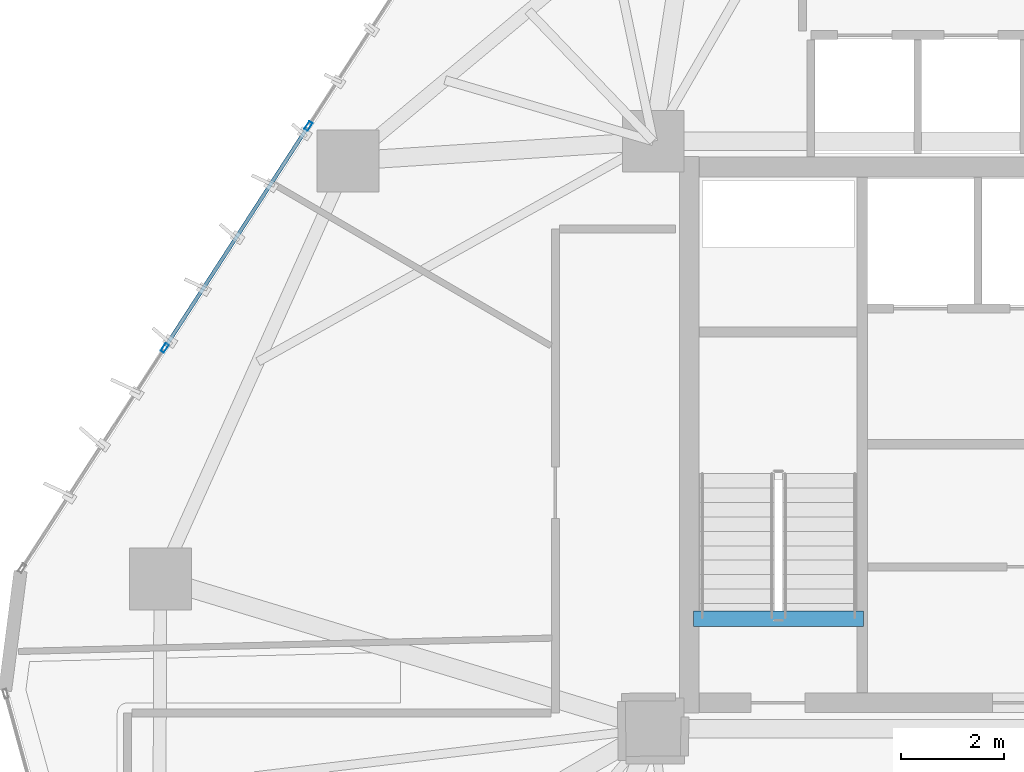
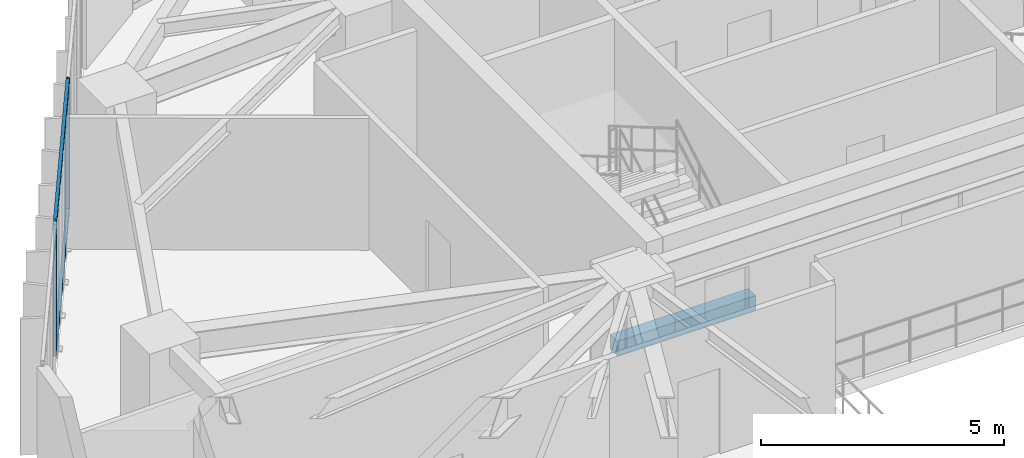
# One storey, part 9 of 21: 4 members, 1 beam, 1 element without a shape of its own.
"""IFC4 building model written with IfcOpenShell, lengths in metres."""

from ifc_helpers import new_model, si_unit, direction, frame, origin, origin_2d, place, context, subcontext, project, spatial, rectangle, hollow_rectangle, extrude, source, transform, mapped, material, layer, layer_set, material_profile, profile_set, type_object, type_shapes, element, aggregate, save


model = new_model("IFC4")

# Units and contexts
model_context = context("Model", 3, precision=1e-05, world=origin(), true_north=direction((0.0, 1.0)))
body_context = subcontext(model_context, "Body", "Model", "MODEL_VIEW")
ifc_project = project(units=[si_unit("LENGTHUNIT", "METRE"), si_unit("AREAUNIT", "SQUARE_METRE"), si_unit("VOLUMEUNIT", "CUBIC_METRE"), si_unit("PLANEANGLEUNIT", "RADIAN"), si_unit("MASSUNIT", "GRAM", prefix="KILO")], contexts=[model_context])

# Site, building, storey
site_placement = place(None, origin())
site = spatial("IfcSite", under=ifc_project, at=site_placement, CompositionType="ELEMENT")
building_placement = place(site_placement, origin())
building = spatial("IfcBuilding", under=site, at=building_placement, Name="Talar Marvaseh", CompositionType="ELEMENT")
storey_placement = place(building_placement, frame((0.0, 0.0, 129.0)))
storey = spatial("IfcBuildingStorey", under=building, at=storey_placement, Name="L33", CompositionType="ELEMENT", Elevation=129.0)

# Beam
ifc_material_1 = material(Name="Concrete C40/50", Category="concrete")
ifc_material_profile_1 = material_profile(ifc_material_1, rectangle(XDim=0.300048828125, YDim=0.360107421875, at=origin_2d()), Name="RC300x360")
ifc_profile_set_1 = profile_set([ifc_material_profile_1], Name="Concrete C40/50")
beam_type = type_object("IfcBeamType", Name="Concrete Stair Landing Trimmer Beam RC300x360", PredefinedType="SPANDREL", material=ifc_profile_set_1)
beam_placement = place(storey_placement, frame((22.780029296875, 27.6298828125, -0.179931640625), z_axis=(-1.0, 0.0, 0.0), x_axis=(0.0, -1.0, 0.0)))
element("IfcBeam", 1, at=beam_placement, inside=storey, type_object=beam_type, Name="L33 ST-1 Stair Nosing Trimmer Beam", PredefinedType="SPANDREL", context=body_context, shape_type="SweptSolid", body=[
    extrude(rectangle(XDim=0.300048828125, YDim=0.360107421875, at=origin_2d()), origin(), (0.0, 0.0, 1.0), 3.300048828125),
])

# Curtain wall, members
ifc_material_2 = material(Name="Architectural Aluminium", Category="aluminium")
ifc_layer = layer(ifc_material_2, 0.199951171875)
ifc_layer_set = layer_set([ifc_layer], Name="Architectural Aluminium")
curtain_wall_type = type_object("IfcCurtainWallType", Name="Unitised Acoustic Library Curtain Wall Z2", PredefinedType="NOTDEFINED", material=ifc_layer_set)
curtain_wall_placement = place(storey_placement, origin())
curtain_wall = element("IfcCurtainWall", 2, at=curtain_wall_placement, inside=storey, type_object=curtain_wall_type, Name="L33 Unitised Acoustic Library Curtain Wall Z2", PredefinedType="NOTDEFINED")
ifc_material_profile_2 = material_profile(ifc_material_2, hollow_rectangle(XDim=0.074951171875, YDim=0.179931640625, WallThickness=0.0048828125, at=origin_2d()), Name="RHS180x75x5")
ifc_profile_set_2 = profile_set([ifc_material_profile_2], Name="Architectural Aluminium")
member_type_1 = type_object("IfcMemberType", Name="Unitised Curtain Wall Standard Mullion RHS180x75x5", PredefinedType="MULLION", material=ifc_profile_set_2)
shared_shape_1 = source(origin(), body_context, "Body", "SweptSolid", [
    extrude(hollow_rectangle(XDim=0.074951171875, YDim=0.179931640625, WallThickness=0.0048828125, at=origin_2d()), origin(), (0.0, 0.0, 1.0), 3.31005859375),
])
type_shapes(member_type_1, [shared_shape_1])
member_1_placement = place(storey_placement, frame((9.22119140625, 32.888671875, 0.0), z_axis=(0.0, 0.0, 1.0), x_axis=(-0.839314849369, 0.543645641598, 0.0)))
member_1 = element("IfcMember", 3, at=member_1_placement, type_object=member_type_1, Name="CW-Z2 mullion 2", PredefinedType="MULLION", context=body_context, shape_type="MappedRepresentation", body=[
    mapped(shared_shape_1, transform((0.0, 0.0, 0.0), x_axis=(1.0, 0.0, 0.0), y_axis=(0.0, 1.0, 0.0), z_axis=(0.0, 0.0, 1.0), scale=1.0)),
])
member_2_placement = place(storey_placement, frame((12.01025390625, 37.194580078125, 0.0), z_axis=(0.0, 0.0, 1.0), x_axis=(-0.839314849369, 0.543645641598, 0.0)))
member_2 = element("IfcMember", 4, at=member_2_placement, type_object=member_type_1, Name="CW-Z2 mullion 3", PredefinedType="MULLION", context=body_context, shape_type="MappedRepresentation", body=[
    mapped(shared_shape_1, transform((0.0, 0.0, 0.0), x_axis=(1.0, 0.0, 0.0), y_axis=(0.0, 1.0, 0.0), z_axis=(0.0, 0.0, 1.0), scale=1.0)),
])
ifc_material_profile_3 = material_profile(ifc_material_2, hollow_rectangle(XDim=0.074951171875, YDim=0.179931640625, WallThickness=0.0048828125, at=origin_2d()), Name="RHS180x75x5")
ifc_profile_set_3 = profile_set([ifc_material_profile_3], Name="Architectural Aluminium")
member_type_2 = type_object("IfcMemberType", Name="Unitised Curtain Wall Transom RHS180x75x5", PredefinedType="USERDEFINED", material=ifc_profile_set_3)
shared_shape_2 = source(origin(), body_context, "Body", "SweptSolid", [
    extrude(hollow_rectangle(XDim=0.074951171875, YDim=0.179931640625, WallThickness=0.0048828125, at=origin_2d()), origin(), (0.0, 0.0, 1.0), 5.05517578125),
])
type_shapes(member_type_2, [shared_shape_2])
member_3_placement = place(storey_placement, frame((9.24169921875, 32.920166015625, 0.03759765625), z_axis=(0.543617685623, 0.839332956507, 0.0), x_axis=(-0.839332956507, 0.543617685623, 0.0)))
member_3 = element("IfcMember", 5, at=member_3_placement, type_object=member_type_2, Name="CW-Z2 transom 2.1", ObjectType="TRANSOM", PredefinedType="USERDEFINED", context=body_context, shape_type="MappedRepresentation", body=[
    mapped(shared_shape_2, transform((0.0, 0.0, 0.0), x_axis=(1.0, 0.0, 0.0), y_axis=(0.0, 1.0, 0.0), z_axis=(0.0, 0.0, 1.0), scale=1.0)),
])
member_4_placement = place(storey_placement, frame((9.24169921875, 32.920166015625, 3.2724609375), z_axis=(0.543617685623, 0.839332956507, 0.0), x_axis=(-0.839332956507, 0.543617685623, 0.0)))
member_4 = element("IfcMember", 6, at=member_4_placement, type_object=member_type_2, Name="CW-Z2 transom 2.2", ObjectType="TRANSOM", PredefinedType="USERDEFINED", context=body_context, shape_type="MappedRepresentation", body=[
    mapped(shared_shape_2, transform((0.0, 0.0, 0.0), x_axis=(1.0, 0.0, 0.0), y_axis=(0.0, 1.0, 0.0), z_axis=(0.0, 0.0, 1.0), scale=1.0)),
])
aggregate(curtain_wall, [member_1, member_2, member_3, member_4])

save(model, "model.ifc")
